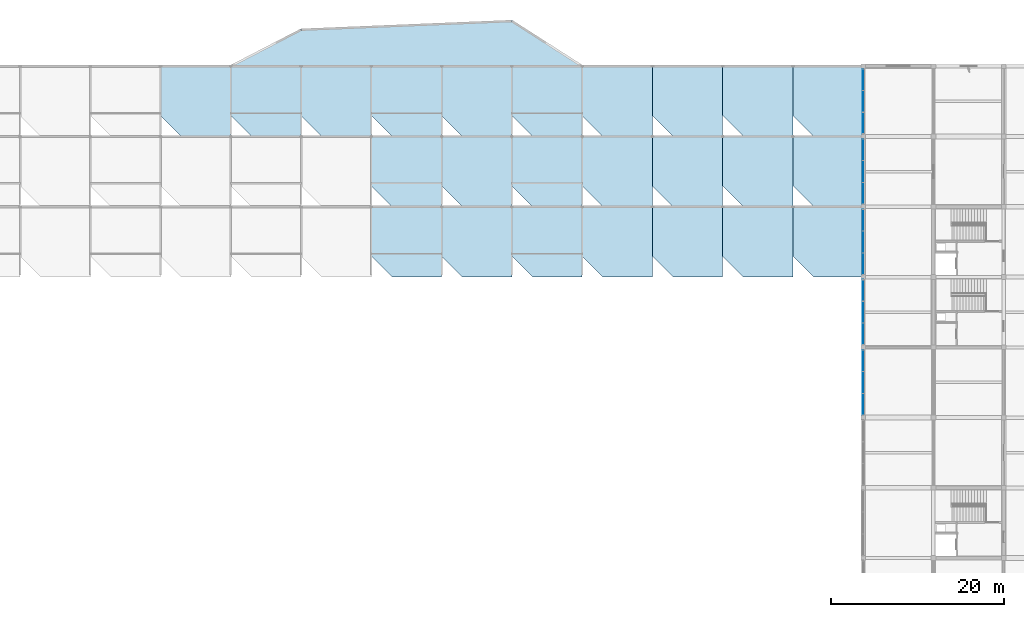
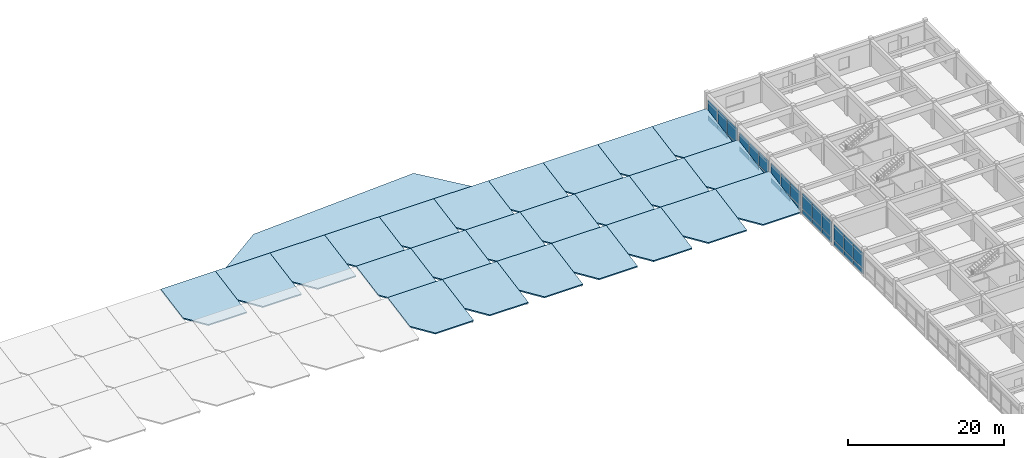
# One storey, part 23 of 33: 30 plates, 25 slabs, 5 elements without a shape of their own.
"""IFC4 building model written with IfcOpenShell, lengths in metres."""

import ifcopenshell
import ifcopenshell.guid

model = None  # the IFC model being written
_history = None  # IfcOwnerHistory: only IFC2X3 demands one
_inside = {}  # id of a spatial element -> (the spatial element, [elements in it])
_under = {}  # id of a project, library or spatial element -> (it, [spatial elements below it])
_declared = {}  # id of a project -> (the project, [libraries it declares])
_typed = {}  # id of a type object -> (the type object, [elements of that type])
_made_of = {}  # id of a material, layer set ... -> (it, [elements and type objects made of it])


def new_model(schema):
    """Start an empty IFC model of exactly this schema.

    Asked for "IFC4X3", IfcOpenShell would pick the latest addendum, in which some entities
    have other attributes; the version numbers below select the first issue.
    IFC2X3 requires an IfcOwnerHistory on every rooted entity: one is made here for all.
    """
    global model, _history
    if schema == "IFC4X3":
        model = ifcopenshell.file(schema_version=(4, 3, 0, 0))
    else:
        model = ifcopenshell.file(schema=schema)
    _inside.clear()
    _under.clear()
    _declared.clear()
    _typed.clear()
    _made_of.clear()
    _history = None
    if model.schema == "IFC2X3":
        org = make("IfcOrganization", Name="unknown")
        user = make(
            "IfcPersonAndOrganization",
            ThePerson=make("IfcPerson", FamilyName="unknown"),
            TheOrganization=org,
        )
        app = make(
            "IfcApplication",
            ApplicationDeveloper=org,
            Version="unknown",
            ApplicationFullName="unknown",
            ApplicationIdentifier="unknown",
        )
        _history = make(
            "IfcOwnerHistory",
            OwningUser=user,
            OwningApplication=app,
            ChangeAction="ADDED",
            CreationDate=0,
        )
    return model


def make(cls, **values):
    """One entity of the class cls with the attributes given. An attribute that is None is left unset."""
    return model.create_entity(
        cls, **{name: value for name, value in values.items() if value is not None}
    )


def rooted(cls, **values):
    """An entity with a GlobalId (a new one), such as an element, a storey or a relation."""
    return make(cls, GlobalId=ifcopenshell.guid.new(), OwnerHistory=_history, **values)


def si_unit(unit_type, name, prefix=None):
    """IfcSIUnit, for example si_unit("LENGTHUNIT", "METRE", prefix="MILLI")."""
    return make("IfcSIUnit", UnitType=unit_type, Prefix=prefix, Name=name)


def assignment(units):
    """IfcUnitAssignment: the units of a project."""
    return None if units is None else make("IfcUnitAssignment", Units=units)


def point(xyz):
    """IfcCartesianPoint."""
    return None if xyz is None else make("IfcCartesianPoint", Coordinates=xyz)


def direction(xyz):
    """IfcDirection."""
    return None if xyz is None else make("IfcDirection", DirectionRatios=xyz)


def frame(location, z_axis=None, x_axis=None):
    """IfcAxis2Placement3D, a coordinate frame: its origin and axes. An axis left out is left unset."""
    return make(
        "IfcAxis2Placement3D",
        Location=point(location),
        Axis=direction(z_axis),
        RefDirection=direction(x_axis),
    )


def frame_2d(location, x_axis=None):
    """IfcAxis2Placement2D, a coordinate frame in the plane: its origin and x axis."""
    return make(
        "IfcAxis2Placement2D", Location=point(location), RefDirection=direction(x_axis)
    )


def origin():
    """The frame at (0, 0, 0) with its axes left unset."""
    return frame((0.0, 0.0, 0.0))


def origin_2d():
    """The frame at (0, 0) in the plane with its x axis left unset."""
    return frame_2d((0.0, 0.0))


def place(relative_to, where):
    """IfcLocalPlacement: puts the frame where relative to a parent placement (None: the world)."""
    return make(
        "IfcLocalPlacement", PlacementRelTo=relative_to, RelativePlacement=where
    )


def context(
    kind, dimensions, precision=None, world=None, true_north=None, identifier=None
):
    """IfcGeometricRepresentationContext, for example the 3D "Model" context."""
    return make(
        "IfcGeometricRepresentationContext",
        ContextIdentifier=identifier,
        ContextType=kind,
        CoordinateSpaceDimension=dimensions,
        Precision=precision,
        WorldCoordinateSystem=world,
        TrueNorth=true_north,
    )


def subcontext(parent, identifier, kind, view, scale=None):
    """IfcGeometricRepresentationSubContext, for example "Body" below "Model"."""
    return make(
        "IfcGeometricRepresentationSubContext",
        ContextIdentifier=identifier,
        ContextType=kind,
        ParentContext=parent,
        TargetScale=scale,
        TargetView=view,
    )


def project(units=None, contexts=None):
    """IfcProject with its units and contexts."""
    return rooted(
        "IfcProject",
        Name="project",
        RepresentationContexts=contexts,
        UnitsInContext=assignment(units),
    )


def spatial(cls, under=None, at=None, **own):
    """A site, building, storey or space (cls), placed at a placement, below another one or the project."""
    s = rooted(cls, ObjectPlacement=at, **own)
    if under is not None:
        _under.setdefault(under.id(), (under, []))[1].append(s)
    return s


def polyline(points):
    """IfcPolyline through the points."""
    return make("IfcPolyline", Points=[point(p) for p in points])


def profile(cls, at=None, kind="AREA", **sizes):
    """A parametric profile (cls). Its sizes go by their IFC names, for example OverallWidth=200.0."""
    return make(cls, ProfileType=kind, Position=at, **sizes)


def rectangle(**sizes):
    """IfcRectangleProfileDef."""
    return profile("IfcRectangleProfileDef", **sizes)


def outline(outer, holes=None, kind="AREA"):
    """IfcArbitraryClosedProfileDef: a profile drawn as a closed curve; with holes, ...WithVoids."""
    if holes is None:
        return make("IfcArbitraryClosedProfileDef", ProfileType=kind, OuterCurve=outer)
    return make(
        "IfcArbitraryProfileDefWithVoids",
        ProfileType=kind,
        OuterCurve=outer,
        InnerCurves=holes,
    )


def extrude(swept, where, along, depth):
    """IfcExtrudedAreaSolid: the profile swept, set in the frame where, extruded along a direction by depth."""
    return make(
        "IfcExtrudedAreaSolid",
        SweptArea=swept,
        Position=where,
        ExtrudedDirection=direction(along),
        Depth=depth,
    )


def shape(context_of_items, identifier, shape_type, items):
    """IfcShapeRepresentation: the items that make up one representation, for example the "Body"."""
    return make(
        "IfcShapeRepresentation",
        ContextOfItems=context_of_items,
        RepresentationIdentifier=identifier,
        RepresentationType=shape_type,
        Items=items,
    )


def material(Name=None, Category=None):
    """IfcMaterial."""
    return make("IfcMaterial", Name=Name, Category=Category)


def layer(
    of_material, thickness, ventilated=None, Name=None, Category=None, Priority=None
):
    """IfcMaterialLayer: one layer of a wall or slab, of a material (None: an air gap)."""
    return make(
        "IfcMaterialLayer",
        Material=of_material,
        LayerThickness=thickness,
        IsVentilated=ventilated,
        Name=Name,
        Category=Category,
        Priority=Priority,
    )


def layer_set(layers, Name=None):
    """IfcMaterialLayerSet."""
    return make("IfcMaterialLayerSet", MaterialLayers=layers, LayerSetName=Name)


def made_of(thing, what):
    """Note that an element or type object is made of a material, layer set ...; save() writes the relation."""
    if what is not None:
        _made_of.setdefault(what.id(), (what, []))[1].append(thing)
    return thing


def type_object(cls, material=None, **own):
    """A type object (cls), such as IfcWallType, which elements share."""
    return made_of(rooted(cls, **own), material)


def element(
    cls,
    number,
    at=None,
    inside=None,
    cuts=None,
    type_object=None,
    material=None,
    context=None,
    identifier="Body",
    shape_type=None,
    held_by="IfcProductDefinitionShape",
    body=None,
    shapes=None,
    **own,
):
    """One element of the class cls, such as IfcWall. Its Tag is "e" and its number.

    at: its placement. inside: the storey or other place that contains it. cuts: it is an
    opening in that element (IfcRelVoidsElement). A single representation is given by context,
    identifier, shape_type and body (its items); several are given by shapes. held_by: the class
    of the entity that holds the representations. save() writes the other relations.
    """
    e = rooted(cls, Tag="e%d" % number, ObjectPlacement=at, **own)
    if body is not None:
        shapes = [shape(context, identifier, shape_type, body)]
    if shapes is not None:
        e.Representation = make(held_by, Representations=shapes)
    if inside is not None:
        _inside.setdefault(inside.id(), (inside, []))[1].append(e)
    if cuts is not None:
        rooted(
            "IfcRelVoidsElement", RelatingBuildingElement=cuts, RelatedOpeningElement=e
        )
    if type_object is not None:
        _typed.setdefault(type_object.id(), (type_object, []))[1].append(e)
    return made_of(e, material)


def aggregate(whole, parts):
    """IfcRelAggregates: a whole, such as a stair, and the parts it consists of."""
    return rooted("IfcRelAggregates", RelatingObject=whole, RelatedObjects=parts)


def save(model, path):
    """Write the relations noted so far, then the file.

    IfcRelAggregates (storeys below a building ...), IfcRelContainedInSpatialStructure (elements
    in a storey), IfcRelDefinesByType, IfcRelAssociatesMaterial and IfcRelDeclares: one each for
    every whole, place, type object, material and project.
    """
    for whole, parts in _under.values():
        aggregate(whole, parts)
    for where, things in _inside.values():
        rooted(
            "IfcRelContainedInSpatialStructure",
            RelatedElements=things,
            RelatingStructure=where,
        )
    for kind, things in _typed.values():
        rooted("IfcRelDefinesByType", RelatedObjects=things, RelatingType=kind)
    for what, things in _made_of.values():
        rooted("IfcRelAssociatesMaterial", RelatedObjects=things, RelatingMaterial=what)
    for by, libraries in _declared.values():
        rooted("IfcRelDeclares", RelatingContext=by, RelatedDefinitions=libraries)
    model.write(path)


model = new_model("IFC4")

# Units and contexts
model_context = context("Model", 3, precision=1e-05, world=origin(), true_north=direction((0.0, 1.0)))
body_context = subcontext(model_context, "Body", "Model", "MODEL_VIEW")
ifc_project = project(units=[si_unit("LENGTHUNIT", "METRE"), si_unit("AREAUNIT", "SQUARE_METRE"), si_unit("VOLUMEUNIT", "CUBIC_METRE"), si_unit("PLANEANGLEUNIT", "RADIAN"), si_unit("MASSUNIT", "GRAM", prefix="KILO")], contexts=[model_context])

# Site, building, storey
site_placement = place(None, origin())
site = spatial("IfcSite", under=ifc_project, at=site_placement, CompositionType="ELEMENT")
building_placement = place(site_placement, origin())
building = spatial("IfcBuilding", under=site, at=building_placement, Name="Vaudrelin Polytechnic", CompositionType="ELEMENT")
storey_placement = place(building_placement, frame((0.0, 0.0, 27.3701171875)))
storey = spatial("IfcBuildingStorey", under=building, at=storey_placement, Name="L06", CompositionType="ELEMENT", Elevation=27.3701171875)

# Curtain wall, plates
ifc_material_1 = material(Name="Thermally broken anodised aluminium AA 6063-T6 and low-e triple glazing", Category="aluminium")
ifc_layer_1 = layer(ifc_material_1, 0.199951171875)
ifc_layer_set_1 = layer_set([ifc_layer_1], Name="Thermally broken anodised aluminium AA 6063-T6 and low-e triple glazing")
curtain_wall_type = type_object("IfcCurtainWallType", Name="CW-CW-LAB", PredefinedType="USERDEFINED", material=ifc_layer_set_1)
curtain_wall_1_placement = place(storey_placement, origin())
curtain_wall_1 = element("IfcCurtainWall", 1, at=curtain_wall_1_placement, inside=storey, type_object=curtain_wall_type, Name="Curtain wall L06 W_V4_06", ObjectType="CURTAIN WALL", PredefinedType="USERDEFINED")
ifc_material_2 = material(Name="Insulated ceramic-frit spandrel glass panel", Category="glass")
ifc_layer_2 = layer(ifc_material_2, 0.052001953125)
ifc_layer_set_2 = layer_set([ifc_layer_2], Name="Insulated ceramic-frit spandrel glass panel")
plate_type_1 = type_object("IfcPlateType", Name="PLT-GLZ-SPAND", PredefinedType="CURTAIN_PANEL", material=ifc_layer_set_2)
plate_1_placement = place(storey_placement, frame((137.699951171875, 82.531982421875, 0.08984375), z_axis=(0.0, 0.0, 1.0), x_axis=(0.0, 1.0, 0.0)))
plate_1 = element("IfcPlate", 2, at=plate_1_placement, type_object=plate_type_1, Name="W_V4_06 spandrel panel 1", PredefinedType="CURTAIN_PANEL", context=body_context, shape_type="SweptSolid", body=[
    extrude(rectangle(XDim=2.41796875, YDim=0.052001953125, at=origin_2d()), origin(), (0.0, 0.0, 1.0), 0.699951171875),
])
plate_2_placement = place(storey_placement, frame((137.699951171875, 85.050048828125, 0.08984375), z_axis=(0.0, 0.0, 1.0), x_axis=(0.0, 1.0, 0.0)))
plate_2 = element("IfcPlate", 3, at=plate_2_placement, type_object=plate_type_1, Name="W_V4_06 spandrel panel 2", PredefinedType="CURTAIN_PANEL", context=body_context, shape_type="SweptSolid", body=[
    extrude(rectangle(XDim=2.41796875, YDim=0.052001953125, at=origin_2d()), origin(), (0.0, 0.0, 1.0), 0.699951171875),
])
plate_3_placement = place(storey_placement, frame((137.699951171875, 87.568115234375, 0.08984375), z_axis=(0.0, 0.0, 1.0), x_axis=(0.0, 1.0, 0.0)))
plate_3 = element("IfcPlate", 4, at=plate_3_placement, type_object=plate_type_1, Name="W_V4_06 spandrel panel 3", PredefinedType="CURTAIN_PANEL", context=body_context, shape_type="SweptSolid", body=[
    extrude(rectangle(XDim=2.41796875, YDim=0.052001953125, at=origin_2d()), origin(), (0.0, 0.0, 1.0), 0.699951171875),
])

curtain_wall_2_placement = place(storey_placement, origin())
curtain_wall_2 = element("IfcCurtainWall", 5, at=curtain_wall_2_placement, inside=storey, type_object=curtain_wall_type, Name="Curtain wall L06 W_V4_07", ObjectType="CURTAIN WALL", PredefinedType="USERDEFINED")
plate_4_placement = place(storey_placement, frame((137.699951171875, 90.632080078125, 0.08984375), z_axis=(0.0, 0.0, 1.0), x_axis=(0.0, 1.0, 0.0)))
plate_4 = element("IfcPlate", 6, at=plate_4_placement, type_object=plate_type_1, Name="W_V4_07 spandrel panel 1", PredefinedType="CURTAIN_PANEL", context=body_context, shape_type="SweptSolid", body=[
    extrude(rectangle(XDim=2.41796875, YDim=0.052001953125, at=origin_2d()), origin(), (0.0, 0.0, 1.0), 0.699951171875),
])
plate_5_placement = place(storey_placement, frame((137.699951171875, 93.14990234375, 0.08984375), z_axis=(0.0, 0.0, 1.0), x_axis=(0.0, 1.0, 0.0)))
plate_5 = element("IfcPlate", 7, at=plate_5_placement, type_object=plate_type_1, Name="W_V4_07 spandrel panel 2", PredefinedType="CURTAIN_PANEL", context=body_context, shape_type="SweptSolid", body=[
    extrude(rectangle(XDim=2.41796875, YDim=0.052001953125, at=origin_2d()), origin(), (0.0, 0.0, 1.0), 0.699951171875),
])
plate_6_placement = place(storey_placement, frame((137.699951171875, 95.66796875, 0.08984375), z_axis=(0.0, 0.0, 1.0), x_axis=(0.0, 1.0, 0.0)))
plate_6 = element("IfcPlate", 8, at=plate_6_placement, type_object=plate_type_1, Name="W_V4_07 spandrel panel 3", PredefinedType="CURTAIN_PANEL", context=body_context, shape_type="SweptSolid", body=[
    extrude(rectangle(XDim=2.41796875, YDim=0.052001953125, at=origin_2d()), origin(), (0.0, 0.0, 1.0), 0.699951171875),
])

curtain_wall_3_placement = place(storey_placement, origin())
curtain_wall_3 = element("IfcCurtainWall", 9, at=curtain_wall_3_placement, inside=storey, type_object=curtain_wall_type, Name="Curtain wall L06 W_V4_08", ObjectType="CURTAIN WALL", PredefinedType="USERDEFINED")
plate_7_placement = place(storey_placement, frame((137.699951171875, 98.73193359375, 0.08984375), z_axis=(0.0, 0.0, 1.0), x_axis=(0.0, 1.0, 0.0)))
plate_7 = element("IfcPlate", 10, at=plate_7_placement, type_object=plate_type_1, Name="W_V4_08 spandrel panel 1", PredefinedType="CURTAIN_PANEL", context=body_context, shape_type="SweptSolid", body=[
    extrude(rectangle(XDim=2.41796875, YDim=0.052001953125, at=origin_2d()), origin(), (0.0, 0.0, 1.0), 0.699951171875),
])
plate_8_placement = place(storey_placement, frame((137.699951171875, 101.25, 0.08984375), z_axis=(0.0, 0.0, 1.0), x_axis=(0.0, 1.0, 0.0)))
plate_8 = element("IfcPlate", 11, at=plate_8_placement, type_object=plate_type_1, Name="W_V4_08 spandrel panel 2", PredefinedType="CURTAIN_PANEL", context=body_context, shape_type="SweptSolid", body=[
    extrude(rectangle(XDim=2.41796875, YDim=0.052001953125, at=origin_2d()), origin(), (0.0, 0.0, 1.0), 0.699951171875),
])
plate_9_placement = place(storey_placement, frame((137.699951171875, 103.76806640625, 0.08984375), z_axis=(0.0, 0.0, 1.0), x_axis=(0.0, 1.0, 0.0)))
plate_9 = element("IfcPlate", 12, at=plate_9_placement, type_object=plate_type_1, Name="W_V4_08 spandrel panel 3", PredefinedType="CURTAIN_PANEL", context=body_context, shape_type="SweptSolid", body=[
    extrude(rectangle(XDim=2.41796875, YDim=0.052001953125, at=origin_2d()), origin(), (0.0, 0.0, 1.0), 0.699951171875),
])

curtain_wall_4_placement = place(storey_placement, origin())
curtain_wall_4 = element("IfcCurtainWall", 13, at=curtain_wall_4_placement, inside=storey, type_object=curtain_wall_type, Name="Curtain wall L06 W_V4_09", ObjectType="CURTAIN WALL", PredefinedType="USERDEFINED")
plate_10_placement = place(storey_placement, frame((137.699951171875, 106.83203125, 0.08984375), z_axis=(0.0, 0.0, 1.0), x_axis=(0.0, 1.0, 0.0)))
plate_10 = element("IfcPlate", 14, at=plate_10_placement, type_object=plate_type_1, Name="W_V4_09 spandrel panel 1", PredefinedType="CURTAIN_PANEL", context=body_context, shape_type="SweptSolid", body=[
    extrude(rectangle(XDim=2.41796875, YDim=0.052001953125, at=origin_2d()), origin(), (0.0, 0.0, 1.0), 0.699951171875),
])
plate_11_placement = place(storey_placement, frame((137.699951171875, 109.35009765625, 0.08984375), z_axis=(0.0, 0.0, 1.0), x_axis=(0.0, 1.0, 0.0)))
plate_11 = element("IfcPlate", 15, at=plate_11_placement, type_object=plate_type_1, Name="W_V4_09 spandrel panel 2", PredefinedType="CURTAIN_PANEL", context=body_context, shape_type="SweptSolid", body=[
    extrude(rectangle(XDim=2.41796875, YDim=0.052001953125, at=origin_2d()), origin(), (0.0, 0.0, 1.0), 0.699951171875),
])
plate_12_placement = place(storey_placement, frame((137.699951171875, 111.867919921875, 0.08984375), z_axis=(0.0, 0.0, 1.0), x_axis=(0.0, 1.0, 0.0)))
plate_12 = element("IfcPlate", 16, at=plate_12_placement, type_object=plate_type_1, Name="W_V4_09 spandrel panel 3", PredefinedType="CURTAIN_PANEL", context=body_context, shape_type="SweptSolid", body=[
    extrude(rectangle(XDim=2.41796875, YDim=0.052001953125, at=origin_2d()), origin(), (0.0, 0.0, 1.0), 0.699951171875),
])

curtain_wall_5_placement = place(storey_placement, origin())
curtain_wall_5 = element("IfcCurtainWall", 17, at=curtain_wall_5_placement, inside=storey, type_object=curtain_wall_type, Name="Curtain wall L06 W_V4_10", ObjectType="CURTAIN WALL", PredefinedType="USERDEFINED")
plate_13_placement = place(storey_placement, frame((137.699951171875, 114.931884765625, 0.08984375), z_axis=(0.0, 0.0, 1.0), x_axis=(0.0, 1.0, 0.0)))
plate_13 = element("IfcPlate", 18, at=plate_13_placement, type_object=plate_type_1, Name="W_V4_10 spandrel panel 1", PredefinedType="CURTAIN_PANEL", context=body_context, shape_type="SweptSolid", body=[
    extrude(rectangle(XDim=2.41796875, YDim=0.052001953125, at=origin_2d()), origin(), (0.0, 0.0, 1.0), 0.699951171875),
])
plate_14_placement = place(storey_placement, frame((137.699951171875, 117.449951171875, 0.08984375), z_axis=(0.0, 0.0, 1.0), x_axis=(0.0, 1.0, 0.0)))
plate_14 = element("IfcPlate", 19, at=plate_14_placement, type_object=plate_type_1, Name="W_V4_10 spandrel panel 2", PredefinedType="CURTAIN_PANEL", context=body_context, shape_type="SweptSolid", body=[
    extrude(rectangle(XDim=2.41796875, YDim=0.052001953125, at=origin_2d()), origin(), (0.0, 0.0, 1.0), 0.699951171875),
])
plate_15_placement = place(storey_placement, frame((137.699951171875, 119.968017578125, 0.08984375), z_axis=(0.0, 0.0, 1.0), x_axis=(0.0, 1.0, 0.0)))
plate_15 = element("IfcPlate", 20, at=plate_15_placement, type_object=plate_type_1, Name="W_V4_10 spandrel panel 3", PredefinedType="CURTAIN_PANEL", context=body_context, shape_type="SweptSolid", body=[
    extrude(rectangle(XDim=2.41796875, YDim=0.052001953125, at=origin_2d()), origin(), (0.0, 0.0, 1.0), 0.699951171875),
])

# Plate
ifc_material_3 = material(Name="Triple low-e argon insulated glazing unit", Category="glass")
ifc_layer_3 = layer(ifc_material_3, 0.0439453125)
ifc_layer_set_3 = layer_set([ifc_layer_3], Name="Triple low-e argon insulated glazing unit")
plate_type_2 = type_object("IfcPlateType", Name="PLT-GLZ-TRIPLE", PredefinedType="CURTAIN_PANEL", material=ifc_layer_set_3)
plate_16_placement = place(storey_placement, frame((137.699951171875, 82.531982421875, 0.89990234375), z_axis=(0.0, 0.0, 1.0), x_axis=(0.0, 1.0, 0.0)))
plate_16 = element("IfcPlate", 21, at=plate_16_placement, type_object=plate_type_2, Name="W_V4_06 vision panel 1", PredefinedType="CURTAIN_PANEL", context=body_context, shape_type="SweptSolid", body=[
    extrude(rectangle(XDim=2.41796875, YDim=0.0439453125, at=origin_2d()), origin(), (0.0, 0.0, 1.0), 2.511962890625),
])

plate_17_placement = place(storey_placement, frame((137.699951171875, 85.050048828125, 0.89990234375), z_axis=(0.0, 0.0, 1.0), x_axis=(0.0, 1.0, 0.0)))
plate_17 = element("IfcPlate", 22, at=plate_17_placement, type_object=plate_type_2, Name="W_V4_06 vision panel 2", PredefinedType="CURTAIN_PANEL", context=body_context, shape_type="SweptSolid", body=[
    extrude(rectangle(XDim=2.41796875, YDim=0.0439453125, at=origin_2d()), origin(), (0.0, 0.0, 1.0), 2.511962890625),
])

plate_18_placement = place(storey_placement, frame((137.699951171875, 87.568115234375, 0.89990234375), z_axis=(0.0, 0.0, 1.0), x_axis=(0.0, 1.0, 0.0)))
plate_18 = element("IfcPlate", 23, at=plate_18_placement, type_object=plate_type_2, Name="W_V4_06 vision panel 3", PredefinedType="CURTAIN_PANEL", context=body_context, shape_type="SweptSolid", body=[
    extrude(rectangle(XDim=2.41796875, YDim=0.0439453125, at=origin_2d()), origin(), (0.0, 0.0, 1.0), 2.511962890625),
])

aggregate(curtain_wall_1, [plate_1, plate_16, plate_2, plate_17, plate_3, plate_18])

plate_19_placement = place(storey_placement, frame((137.699951171875, 90.632080078125, 0.89990234375), z_axis=(0.0, 0.0, 1.0), x_axis=(0.0, 1.0, 0.0)))
plate_19 = element("IfcPlate", 24, at=plate_19_placement, type_object=plate_type_2, Name="W_V4_07 vision panel 1", PredefinedType="CURTAIN_PANEL", context=body_context, shape_type="SweptSolid", body=[
    extrude(rectangle(XDim=2.41796875, YDim=0.0439453125, at=origin_2d()), origin(), (0.0, 0.0, 1.0), 2.511962890625),
])

plate_20_placement = place(storey_placement, frame((137.699951171875, 93.14990234375, 0.89990234375), z_axis=(0.0, 0.0, 1.0), x_axis=(0.0, 1.0, 0.0)))
plate_20 = element("IfcPlate", 25, at=plate_20_placement, type_object=plate_type_2, Name="W_V4_07 vision panel 2", PredefinedType="CURTAIN_PANEL", context=body_context, shape_type="SweptSolid", body=[
    extrude(rectangle(XDim=2.41796875, YDim=0.0439453125, at=origin_2d()), origin(), (0.0, 0.0, 1.0), 2.511962890625),
])

plate_21_placement = place(storey_placement, frame((137.699951171875, 95.66796875, 0.89990234375), z_axis=(0.0, 0.0, 1.0), x_axis=(0.0, 1.0, 0.0)))
plate_21 = element("IfcPlate", 26, at=plate_21_placement, type_object=plate_type_2, Name="W_V4_07 vision panel 3", PredefinedType="CURTAIN_PANEL", context=body_context, shape_type="SweptSolid", body=[
    extrude(rectangle(XDim=2.41796875, YDim=0.0439453125, at=origin_2d()), origin(), (0.0, 0.0, 1.0), 2.511962890625),
])

aggregate(curtain_wall_2, [plate_4, plate_19, plate_5, plate_20, plate_6, plate_21])

plate_22_placement = place(storey_placement, frame((137.699951171875, 98.73193359375, 0.89990234375), z_axis=(0.0, 0.0, 1.0), x_axis=(0.0, 1.0, 0.0)))
plate_22 = element("IfcPlate", 27, at=plate_22_placement, type_object=plate_type_2, Name="W_V4_08 vision panel 1", PredefinedType="CURTAIN_PANEL", context=body_context, shape_type="SweptSolid", body=[
    extrude(rectangle(XDim=2.41796875, YDim=0.0439453125, at=origin_2d()), origin(), (0.0, 0.0, 1.0), 2.31201171875),
])

plate_23_placement = place(storey_placement, frame((137.699951171875, 101.25, 0.89990234375), z_axis=(0.0, 0.0, 1.0), x_axis=(0.0, 1.0, 0.0)))
plate_23 = element("IfcPlate", 28, at=plate_23_placement, type_object=plate_type_2, Name="W_V4_08 vision panel 2", PredefinedType="CURTAIN_PANEL", context=body_context, shape_type="SweptSolid", body=[
    extrude(rectangle(XDim=2.41796875, YDim=0.0439453125, at=origin_2d()), origin(), (0.0, 0.0, 1.0), 2.31201171875),
])

plate_24_placement = place(storey_placement, frame((137.699951171875, 103.76806640625, 0.89990234375), z_axis=(0.0, 0.0, 1.0), x_axis=(0.0, 1.0, 0.0)))
plate_24 = element("IfcPlate", 29, at=plate_24_placement, type_object=plate_type_2, Name="W_V4_08 vision panel 3", PredefinedType="CURTAIN_PANEL", context=body_context, shape_type="SweptSolid", body=[
    extrude(rectangle(XDim=2.41796875, YDim=0.0439453125, at=origin_2d()), origin(), (0.0, 0.0, 1.0), 2.31201171875),
])

aggregate(curtain_wall_3, [plate_7, plate_22, plate_8, plate_23, plate_9, plate_24])

plate_25_placement = place(storey_placement, frame((137.699951171875, 106.83203125, 0.89990234375), z_axis=(0.0, 0.0, 1.0), x_axis=(0.0, 1.0, 0.0)))
plate_25 = element("IfcPlate", 30, at=plate_25_placement, type_object=plate_type_2, Name="W_V4_09 vision panel 1", PredefinedType="CURTAIN_PANEL", context=body_context, shape_type="SweptSolid", body=[
    extrude(rectangle(XDim=2.41796875, YDim=0.0439453125, at=origin_2d()), origin(), (0.0, 0.0, 1.0), 2.2119140625),
])

plate_26_placement = place(storey_placement, frame((137.699951171875, 109.35009765625, 0.89990234375), z_axis=(0.0, 0.0, 1.0), x_axis=(0.0, 1.0, 0.0)))
plate_26 = element("IfcPlate", 31, at=plate_26_placement, type_object=plate_type_2, Name="W_V4_09 vision panel 2", PredefinedType="CURTAIN_PANEL", context=body_context, shape_type="SweptSolid", body=[
    extrude(rectangle(XDim=2.41796875, YDim=0.0439453125, at=origin_2d()), origin(), (0.0, 0.0, 1.0), 2.2119140625),
])

plate_27_placement = place(storey_placement, frame((137.699951171875, 111.867919921875, 0.89990234375), z_axis=(0.0, 0.0, 1.0), x_axis=(0.0, 1.0, 0.0)))
plate_27 = element("IfcPlate", 32, at=plate_27_placement, type_object=plate_type_2, Name="W_V4_09 vision panel 3", PredefinedType="CURTAIN_PANEL", context=body_context, shape_type="SweptSolid", body=[
    extrude(rectangle(XDim=2.41796875, YDim=0.0439453125, at=origin_2d()), origin(), (0.0, 0.0, 1.0), 2.2119140625),
])

aggregate(curtain_wall_4, [plate_10, plate_25, plate_11, plate_26, plate_12, plate_27])

plate_28_placement = place(storey_placement, frame((137.699951171875, 114.931884765625, 0.89990234375), z_axis=(0.0, 0.0, 1.0), x_axis=(0.0, 1.0, 0.0)))
plate_28 = element("IfcPlate", 33, at=plate_28_placement, type_object=plate_type_2, Name="W_V4_10 vision panel 1", PredefinedType="CURTAIN_PANEL", context=body_context, shape_type="SweptSolid", body=[
    extrude(rectangle(XDim=2.41796875, YDim=0.0439453125, at=origin_2d()), origin(), (0.0, 0.0, 1.0), 2.412109375),
])

plate_29_placement = place(storey_placement, frame((137.699951171875, 117.449951171875, 0.89990234375), z_axis=(0.0, 0.0, 1.0), x_axis=(0.0, 1.0, 0.0)))
plate_29 = element("IfcPlate", 34, at=plate_29_placement, type_object=plate_type_2, Name="W_V4_10 vision panel 2", PredefinedType="CURTAIN_PANEL", context=body_context, shape_type="SweptSolid", body=[
    extrude(rectangle(XDim=2.41796875, YDim=0.0439453125, at=origin_2d()), origin(), (0.0, 0.0, 1.0), 2.412109375),
])

plate_30_placement = place(storey_placement, frame((137.699951171875, 119.968017578125, 0.89990234375), z_axis=(0.0, 0.0, 1.0), x_axis=(0.0, 1.0, 0.0)))
plate_30 = element("IfcPlate", 35, at=plate_30_placement, type_object=plate_type_2, Name="W_V4_10 vision panel 3", PredefinedType="CURTAIN_PANEL", context=body_context, shape_type="SweptSolid", body=[
    extrude(rectangle(XDim=2.41796875, YDim=0.0439453125, at=origin_2d()), origin(), (0.0, 0.0, 1.0), 2.412109375),
])

aggregate(curtain_wall_5, [plate_13, plate_28, plate_14, plate_29, plate_15, plate_30])

# Slabs
ifc_material_4 = material(Name="Concrete 35 MPa", Category="concrete")
ifc_layer_4 = layer(ifc_material_4, 0.219970703125)
ifc_layer_set_4 = layer_set([ifc_layer_4], Name="Concrete 35 MPa")
slab_type_1 = type_object("IfcSlabType", Name="SLB-SL-RF220", PredefinedType="ROOF", material=ifc_layer_set_4)
slab_1_placement = place(storey_placement, frame((81.0, 99.60009765625, 0.664794921875), z_axis=(-2.34963e-07, -0.182230468952, 0.983255844725), x_axis=(0.701075700338, -0.701146847733, -0.129945989974)))
element("IfcSlab", 36, at=slab_1_placement, inside=storey, type_object=slab_type_1, Name="Studio sawtooth roof 10-12", PredefinedType="ROOF", context=body_context, shape_type="SweptSolid", body=[
    extrude(outline(polyline([(0.0, 0.0), (3.423171481473058, -7.008282842946301e-16), (7.419439902247329, 4.064734346764556), (1.545004353804892, 9.840221566685779), (-4.133777283356696, 4.064148405945909), (0.0, 0.0)])), origin(), (0.0, 0.0, -1.0), 0.219970703125),
])
slab_2_placement = place(storey_placement, frame((89.10009765625, 99.60009765625, 0.664794921875), z_axis=(-2.3497e-07, -0.182230468954, 0.983255844724), x_axis=(0.701075700338, -0.701146847733, -0.12994598997)))
element("IfcSlab", 37, at=slab_2_placement, inside=storey, type_object=slab_type_1, Name="Studio sawtooth roof 11-12", PredefinedType="ROOF", context=body_context, shape_type="SweptSolid", body=[
    extrude(outline(polyline([(0.0, 0.0), (3.4231714814730574, 1.3877787807814457e-16), (7.419268741187675, 4.0645602532941645), (1.5448331927452388, 9.840047473215385), (-4.133777283356696, 4.064148405945908), (0.0, 0.0)])), origin(), (0.0, 0.0, -1.0), 0.219970703125),
])
slab_3_placement = place(storey_placement, frame((97.199951171875, 99.60009765625, 0.664794921875), z_axis=(-2.34964e-07, -0.182230468959, 0.983255844723), x_axis=(0.701111963334, -0.70111179073, -0.129939492724)))
element("IfcSlab", 38, at=slab_3_placement, inside=storey, type_object=slab_type_1, Name="Studio sawtooth roof 12-12", PredefinedType="ROOF", context=body_context, shape_type="SweptSolid", body=[
    extrude(outline(polyline([(0.0, 0.0), (3.4233426469594566, 2.0122792321330962e-16), (7.419646603982344, 4.064357027235746), (1.5455047744928914, 9.84014298304469), (-4.133570596480055, 4.0643586231857105), (0.0, 0.0)])), origin(), (0.0, 0.0, -1.0), 0.219970703125),
])
slab_4_placement = place(storey_placement, frame((105.300048828125, 99.60009765625, 0.664794921875), z_axis=(-2.3497e-07, -0.182230468954, 0.983255844724), x_axis=(0.701075700338, -0.701146847733, -0.12994598997)))
element("IfcSlab", 39, at=slab_4_placement, inside=storey, type_object=slab_type_1, Name="Studio sawtooth roof 13-12", PredefinedType="ROOF", context=body_context, shape_type="SweptSolid", body=[
    extrude(outline(polyline([(0.0, 0.0), (3.4231714814730574, 1.3877787807814457e-16), (7.419268741187675, 4.0645602532941645), (1.5448331927452388, 9.840047473215385), (-4.133777283356696, 4.064148405945908), (0.0, 0.0)])), origin(), (0.0, 0.0, -1.0), 0.219970703125),
])
slab_5_placement = place(storey_placement, frame((113.39990234375, 99.60009765625, 0.664794921875), z_axis=(-2.34964e-07, -0.182230468959, 0.983255844723), x_axis=(0.701111963334, -0.70111179073, -0.129939492724)))
element("IfcSlab", 40, at=slab_5_placement, inside=storey, type_object=slab_type_1, Name="Studio sawtooth roof 14-12", PredefinedType="ROOF", context=body_context, shape_type="SweptSolid", body=[
    extrude(outline(polyline([(0.0, 0.0), (3.4233426469594566, 2.0122792321330962e-16), (7.419646603982344, 4.064357027235746), (1.5455047744928914, 9.84014298304469), (-4.133570596480055, 4.0643586231857105), (0.0, 0.0)])), origin(), (0.0, 0.0, -1.0), 0.219970703125),
])
slab_6_placement = place(storey_placement, frame((121.5, 99.60009765625, 0.664794921875), z_axis=(-2.34963e-07, -0.182230468952, 0.983255844725), x_axis=(0.701075700338, -0.701146847733, -0.129945989974)))
element("IfcSlab", 41, at=slab_6_placement, inside=storey, type_object=slab_type_1, Name="Studio sawtooth roof 15-12", PredefinedType="ROOF", context=body_context, shape_type="SweptSolid", body=[
    extrude(outline(polyline([(0.0, 0.0), (3.423171481473058, -7.008282842946301e-16), (7.419439902247329, 4.064734346764556), (1.545004353804892, 9.840221566685779), (-4.133777283356696, 4.064148405945909), (0.0, 0.0)])), origin(), (0.0, 0.0, -1.0), 0.219970703125),
])
slab_7_placement = place(storey_placement, frame((129.60009765625, 99.60009765625, 0.664794921875), z_axis=(-2.3497e-07, -0.182230468954, 0.983255844724), x_axis=(0.701075700338, -0.701146847733, -0.12994598997)))
element("IfcSlab", 42, at=slab_7_placement, inside=storey, type_object=slab_type_1, Name="Studio sawtooth roof 16-12", PredefinedType="ROOF", context=body_context, shape_type="SweptSolid", body=[
    extrude(outline(polyline([(0.0, 0.0), (3.4231714814730574, 1.3877787807814457e-16), (7.419268741187675, 4.0645602532941645), (1.5448331927452388, 9.840047473215385), (-4.133777283356696, 4.064148405945908), (0.0, 0.0)])), origin(), (0.0, 0.0, -1.0), 0.219970703125),
])
slab_8_placement = place(storey_placement, frame((81.0, 107.699951171875, 0.664794921875), z_axis=(1.786323e-06, -0.182235200221, 0.983254967848), x_axis=(0.701110759075, -0.701112071485, -0.129944475556)))
element("IfcSlab", 43, at=slab_8_placement, inside=storey, type_object=slab_type_1, Name="Studio sawtooth roof 10-13", PredefinedType="ROOF", context=body_context, shape_type="SweptSolid", body=[
    extrude(outline(polyline([(0.0, 0.0), (3.423000307340378, 2.706168622523819e-16), (7.419468569764118, 4.064537861551185), (1.545488155740753, 9.840145593186474), (-4.133577460615886, 4.064351642075235), (0.0, 0.0)])), origin(), (0.0, 0.0, -1.0), 0.219970703125),
])
slab_9_placement = place(storey_placement, frame((89.10009765625, 107.699951171875, 0.664794921875), z_axis=(1.786379e-06, -0.182235200205, 0.983254967851), x_axis=(0.701110759075, -0.70111207148, -0.129944475583)))
element("IfcSlab", 44, at=slab_9_placement, inside=storey, type_object=slab_type_1, Name="Studio sawtooth roof 11-13", PredefinedType="ROOF", context=body_context, shape_type="SweptSolid", body=[
    extrude(outline(polyline([(0.0, 0.0), (3.423000307340379, -2.983724378680108e-16), (7.419297400145205, 4.064363776496291), (1.5453169861218439, 9.839971508131583), (-4.133577460615883, 4.064351642075238), (0.0, 0.0)])), origin(), (0.0, 0.0, -1.0), 0.219970703125),
])
slab_10_placement = place(storey_placement, frame((97.199951171875, 107.699951171875, 0.664794921875), z_axis=(1.786331e-06, -0.182235200167, 0.983254967858), x_axis=(0.701147020379, -0.701077012695, -0.129937977837)))
element("IfcSlab", 45, at=slab_10_placement, inside=storey, type_object=slab_type_1, Name="Studio sawtooth roof 12-13", PredefinedType="ROOF", context=body_context, shape_type="SweptSolid", body=[
    extrude(outline(polyline([(0.0, 0.0), (3.4231714813858316, -1.3183898417423734e-16), (7.4196752618501, 4.064160539938146), (1.545988573395514, 9.840066984811262), (-4.133370763060711, 4.064561849501894), (0.0, 0.0)])), origin(), (0.0, 0.0, -1.0), 0.219970703125),
])
slab_11_placement = place(storey_placement, frame((105.300048828125, 107.699951171875, 0.664794921875), z_axis=(1.786379e-06, -0.182235200205, 0.983254967851), x_axis=(0.701110759075, -0.70111207148, -0.129944475583)))
element("IfcSlab", 46, at=slab_11_placement, inside=storey, type_object=slab_type_1, Name="Studio sawtooth roof 13-13", PredefinedType="ROOF", context=body_context, shape_type="SweptSolid", body=[
    extrude(outline(polyline([(0.0, 0.0), (3.423000307340379, -2.983724378680108e-16), (7.419297400145205, 4.064363776496291), (1.5453169861218439, 9.839971508131583), (-4.133577460615883, 4.064351642075238), (0.0, 0.0)])), origin(), (0.0, 0.0, -1.0), 0.219970703125),
])
slab_12_placement = place(storey_placement, frame((113.39990234375, 107.699951171875, 0.664794921875), z_axis=(1.786331e-06, -0.182235200167, 0.983254967858), x_axis=(0.701147020379, -0.701077012695, -0.129937977837)))
element("IfcSlab", 47, at=slab_12_placement, inside=storey, type_object=slab_type_1, Name="Studio sawtooth roof 14-13", PredefinedType="ROOF", context=body_context, shape_type="SweptSolid", body=[
    extrude(outline(polyline([(0.0, 0.0), (3.4231714813858316, -1.3183898417423734e-16), (7.4196752618501, 4.064160539938146), (1.545988573395514, 9.840066984811262), (-4.133370763060711, 4.064561849501894), (0.0, 0.0)])), origin(), (0.0, 0.0, -1.0), 0.219970703125),
])
slab_13_placement = place(storey_placement, frame((121.5, 107.699951171875, 0.664794921875), z_axis=(1.786323e-06, -0.182235200221, 0.983254967848), x_axis=(0.701110759075, -0.701112071485, -0.129944475556)))
element("IfcSlab", 48, at=slab_13_placement, inside=storey, type_object=slab_type_1, Name="Studio sawtooth roof 15-13", PredefinedType="ROOF", context=body_context, shape_type="SweptSolid", body=[
    extrude(outline(polyline([(0.0, 0.0), (3.423000307340378, 2.706168622523819e-16), (7.419468569764118, 4.064537861551185), (1.545488155740753, 9.840145593186474), (-4.133577460615886, 4.064351642075235), (0.0, 0.0)])), origin(), (0.0, 0.0, -1.0), 0.219970703125),
])
slab_14_placement = place(storey_placement, frame((129.60009765625, 107.699951171875, 0.664794921875), z_axis=(1.786379e-06, -0.182235200205, 0.983254967851), x_axis=(0.701110759075, -0.70111207148, -0.129944475583)))
element("IfcSlab", 49, at=slab_14_placement, inside=storey, type_object=slab_type_1, Name="Studio sawtooth roof 16-13", PredefinedType="ROOF", context=body_context, shape_type="SweptSolid", body=[
    extrude(outline(polyline([(0.0, 0.0), (3.423000307340379, -2.983724378680108e-16), (7.419297400145205, 4.064363776496291), (1.5453169861218439, 9.839971508131583), (-4.133577460615883, 4.064351642075238), (0.0, 0.0)])), origin(), (0.0, 0.0, -1.0), 0.219970703125),
])
slab_15_placement = place(storey_placement, frame((56.699951171875, 115.800048828125, 0.664794921875), z_axis=(-2.34964e-07, -0.182230468959, 0.983255844723), x_axis=(0.701111963334, -0.70111179073, -0.129939492724)))
element("IfcSlab", 50, at=slab_15_placement, inside=storey, type_object=slab_type_1, Name="Studio sawtooth roof 7-14", PredefinedType="ROOF", context=body_context, shape_type="SweptSolid", body=[
    extrude(outline(polyline([(0.0, 0.0), (3.4233426469594566, 2.0122792321330962e-16), (7.419646603982344, 4.064357027235746), (1.5455047744928914, 9.84014298304469), (-4.133570596480055, 4.0643586231857105), (0.0, 0.0)])), origin(), (0.0, 0.0, -1.0), 0.219970703125),
])
slab_16_placement = place(storey_placement, frame((64.800048828125, 115.800048828125, 0.664794921875), z_axis=(-2.3497e-07, -0.182230468954, 0.983255844724), x_axis=(0.701075700338, -0.701146847733, -0.12994598997)))
element("IfcSlab", 51, at=slab_16_placement, inside=storey, type_object=slab_type_1, Name="Studio sawtooth roof 8-14", PredefinedType="ROOF", context=body_context, shape_type="SweptSolid", body=[
    extrude(outline(polyline([(0.0, 0.0), (3.4231714814730574, 1.3877787807814457e-16), (7.419268741187675, 4.0645602532941645), (1.5448331927452388, 9.840047473215385), (-4.133777283356696, 4.064148405945908), (0.0, 0.0)])), origin(), (0.0, 0.0, -1.0), 0.219970703125),
])
slab_17_placement = place(storey_placement, frame((72.89990234375, 115.800048828125, 0.664794921875), z_axis=(-2.34964e-07, -0.182230468959, 0.983255844723), x_axis=(0.701111963334, -0.70111179073, -0.129939492724)))
element("IfcSlab", 52, at=slab_17_placement, inside=storey, type_object=slab_type_1, Name="Studio sawtooth roof 9-14", PredefinedType="ROOF", context=body_context, shape_type="SweptSolid", body=[
    extrude(outline(polyline([(0.0, 0.0), (3.4233426469594566, 2.0122792321330962e-16), (7.419646603982344, 4.064357027235746), (1.5455047744928914, 9.84014298304469), (-4.133570596480055, 4.0643586231857105), (0.0, 0.0)])), origin(), (0.0, 0.0, -1.0), 0.219970703125),
])
slab_18_placement = place(storey_placement, frame((81.0, 115.800048828125, 0.664794921875), z_axis=(-2.34963e-07, -0.182230468952, 0.983255844725), x_axis=(0.701075700338, -0.701146847733, -0.129945989974)))
element("IfcSlab", 53, at=slab_18_placement, inside=storey, type_object=slab_type_1, Name="Studio sawtooth roof 10-14", PredefinedType="ROOF", context=body_context, shape_type="SweptSolid", body=[
    extrude(outline(polyline([(0.0, 0.0), (3.423171481473058, -7.008282842946301e-16), (7.419439902247329, 4.064734346764556), (1.545004353804892, 9.840221566685779), (-4.133777283356696, 4.064148405945909), (0.0, 0.0)])), origin(), (0.0, 0.0, -1.0), 0.219970703125),
])
slab_19_placement = place(storey_placement, frame((89.10009765625, 115.800048828125, 0.664794921875), z_axis=(-2.3497e-07, -0.182230468954, 0.983255844724), x_axis=(0.701075700338, -0.701146847733, -0.12994598997)))
element("IfcSlab", 54, at=slab_19_placement, inside=storey, type_object=slab_type_1, Name="Studio sawtooth roof 11-14", PredefinedType="ROOF", context=body_context, shape_type="SweptSolid", body=[
    extrude(outline(polyline([(0.0, 0.0), (3.4231714814730574, 1.3877787807814457e-16), (7.419268741187675, 4.0645602532941645), (1.5448331927452388, 9.840047473215385), (-4.133777283356696, 4.064148405945908), (0.0, 0.0)])), origin(), (0.0, 0.0, -1.0), 0.219970703125),
])
slab_20_placement = place(storey_placement, frame((97.199951171875, 115.800048828125, 0.664794921875), z_axis=(-2.34964e-07, -0.182230468959, 0.983255844723), x_axis=(0.701111963334, -0.70111179073, -0.129939492724)))
element("IfcSlab", 55, at=slab_20_placement, inside=storey, type_object=slab_type_1, Name="Studio sawtooth roof 12-14", PredefinedType="ROOF", context=body_context, shape_type="SweptSolid", body=[
    extrude(outline(polyline([(0.0, 0.0), (3.4233426469594566, 2.0122792321330962e-16), (7.419646603982344, 4.064357027235746), (1.5455047744928914, 9.84014298304469), (-4.133570596480055, 4.0643586231857105), (0.0, 0.0)])), origin(), (0.0, 0.0, -1.0), 0.219970703125),
])
slab_21_placement = place(storey_placement, frame((105.300048828125, 115.800048828125, 0.664794921875), z_axis=(-2.3497e-07, -0.182230468954, 0.983255844724), x_axis=(0.701075700338, -0.701146847733, -0.12994598997)))
element("IfcSlab", 56, at=slab_21_placement, inside=storey, type_object=slab_type_1, Name="Studio sawtooth roof 13-14", PredefinedType="ROOF", context=body_context, shape_type="SweptSolid", body=[
    extrude(outline(polyline([(0.0, 0.0), (3.4231714814730574, 1.3877787807814457e-16), (7.419268741187675, 4.0645602532941645), (1.5448331927452388, 9.840047473215385), (-4.133777283356696, 4.064148405945908), (0.0, 0.0)])), origin(), (0.0, 0.0, -1.0), 0.219970703125),
])
slab_22_placement = place(storey_placement, frame((113.39990234375, 115.800048828125, 0.664794921875), z_axis=(-2.34964e-07, -0.182230468959, 0.983255844723), x_axis=(0.701111963334, -0.70111179073, -0.129939492724)))
element("IfcSlab", 57, at=slab_22_placement, inside=storey, type_object=slab_type_1, Name="Studio sawtooth roof 14-14", PredefinedType="ROOF", context=body_context, shape_type="SweptSolid", body=[
    extrude(outline(polyline([(0.0, 0.0), (3.4233426469594566, 2.0122792321330962e-16), (7.419646603982344, 4.064357027235746), (1.5455047744928914, 9.84014298304469), (-4.133570596480055, 4.0643586231857105), (0.0, 0.0)])), origin(), (0.0, 0.0, -1.0), 0.219970703125),
])
slab_23_placement = place(storey_placement, frame((121.5, 115.800048828125, 0.664794921875), z_axis=(-2.34963e-07, -0.182230468952, 0.983255844725), x_axis=(0.701075700338, -0.701146847733, -0.129945989974)))
element("IfcSlab", 58, at=slab_23_placement, inside=storey, type_object=slab_type_1, Name="Studio sawtooth roof 15-14", PredefinedType="ROOF", context=body_context, shape_type="SweptSolid", body=[
    extrude(outline(polyline([(0.0, 0.0), (3.423171481473058, -7.008282842946301e-16), (7.419439902247329, 4.064734346764556), (1.545004353804892, 9.840221566685779), (-4.133777283356696, 4.064148405945909), (0.0, 0.0)])), origin(), (0.0, 0.0, -1.0), 0.219970703125),
])
slab_24_placement = place(storey_placement, frame((129.60009765625, 115.800048828125, 0.664794921875), z_axis=(-2.3497e-07, -0.182230468954, 0.983255844724), x_axis=(0.701075700338, -0.701146847733, -0.12994598997)))
element("IfcSlab", 59, at=slab_24_placement, inside=storey, type_object=slab_type_1, Name="Studio sawtooth roof 16-14", PredefinedType="ROOF", context=body_context, shape_type="SweptSolid", body=[
    extrude(outline(polyline([(0.0, 0.0), (3.4231714814730574, 1.3877787807814457e-16), (7.419268741187675, 4.0645602532941645), (1.5448331927452388, 9.840047473215385), (-4.133777283356696, 4.064148405945908), (0.0, 0.0)])), origin(), (0.0, 0.0, -1.0), 0.219970703125),
])
ifc_layer_5 = layer(ifc_material_4, 0.2451171875)
ifc_layer_set_5 = layer_set([ifc_layer_5], Name="Concrete 35 MPa")
slab_type_2 = type_object("IfcSlabType", Name="SLB-SL-RF245", PredefinedType="ROOF", material=ifc_layer_set_5)
slab_25_placement = place(storey_placement, frame((64.800048828125, 121.5, 0.259765625), z_axis=(2.850627e-06, -0.404531229241, 0.914524184787), x_axis=(0.869901346437, 0.451067886566, 0.199522954007)))
element("IfcSlab", 60, at=slab_25_placement, inside=storey, type_object=slab_type_2, Name="Deconstructivist raked pod roof N_OR2", PredefinedType="ROOF", context=body_context, shape_type="SweptSolid", body=[
    extrude(outline(polyline([(0.0, 0.0), (9.311232300618697, -1.1102230246251565e-16), (30.989162195149053, -11.034274562875671), (35.23100453069852, -19.975643162225637), (0.0, 0.0)])), origin(), (0.0, 0.0, -1.0), 0.2451171875),
])

save(model, "model.ifc")
